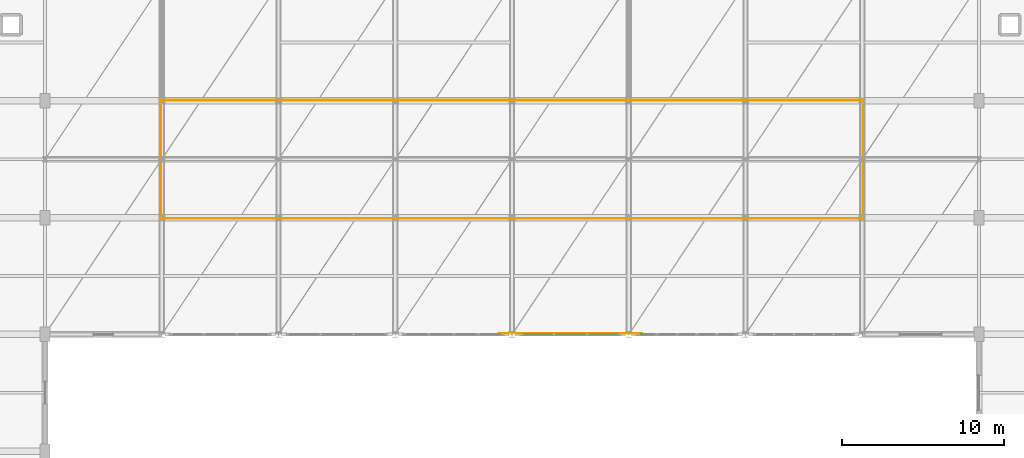
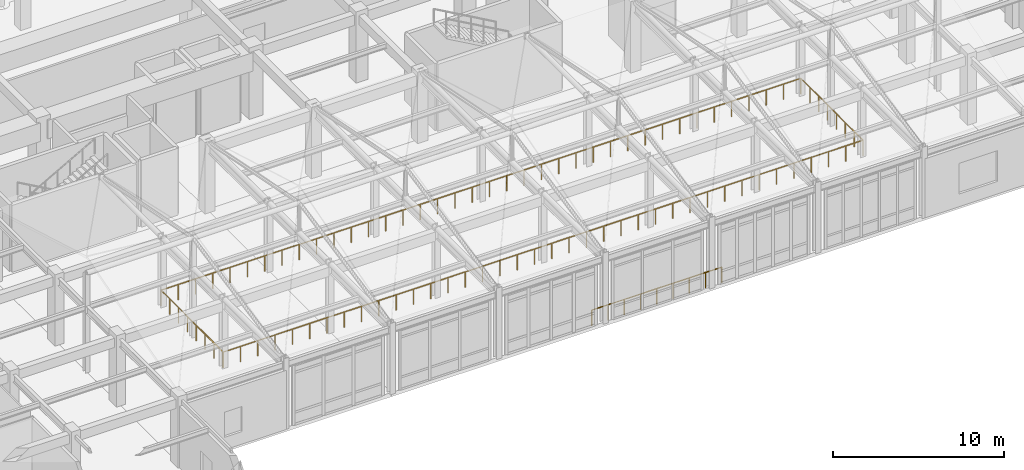
# One storey, part 110 of 117: 3 railings.
"""IFC4 building model written with IfcOpenShell, lengths in metres."""

from ifc_helpers import new_model, si_unit, direction, frame, origin, origin_2d, place, context, subcontext, project, spatial, circle, extrude, material, layer, layer_set, type_object, element, save


model = new_model("IFC4")

# Units and contexts
model_context = context("Model", 3, precision=1e-05, world=origin(), true_north=direction((0.0, 1.0)))
body_context = subcontext(model_context, "Body", "Model", "MODEL_VIEW")
ifc_project = project(units=[si_unit("LENGTHUNIT", "METRE"), si_unit("AREAUNIT", "SQUARE_METRE"), si_unit("VOLUMEUNIT", "CUBIC_METRE"), si_unit("PLANEANGLEUNIT", "RADIAN"), si_unit("MASSUNIT", "GRAM", prefix="KILO")], contexts=[model_context])

# Site, building, storey
site_placement = place(None, origin())
site = spatial("IfcSite", under=ifc_project, at=site_placement, CompositionType="ELEMENT")
building_placement = place(site_placement, origin())
building = spatial("IfcBuilding", under=site, at=building_placement, Name="Carrowvane Square Congress Hotel", CompositionType="ELEMENT")
storey_placement = place(building_placement, frame((0.0, 0.0, 5.39990234375)))
storey = spatial("IfcBuildingStorey", under=building, at=storey_placement, Name="L01", CompositionType="ELEMENT", Elevation=5.39990234375)

# Railings
ifc_material = material(Name="Double-glazed low-E glass", Category="glass")
ifc_layer = layer(ifc_material, 0.06005859375)
ifc_layer_set = layer_set([ifc_layer], Name="Double-glazed low-E glass")
railing_type = type_object("IfcRailingType", Name="RLG-BAL-GLS1120", PredefinedType="BALUSTRADE", material=ifc_layer_set)
railing_1_placement = place(storey_placement, frame((97.199951171875, 70.260009765625, 0.0)))
element("IfcRailing", 1, at=railing_1_placement, inside=storey, type_object=railing_type, Name="L01 perimeter gallery edge guard RLG-EDGE-L01-V6S", PredefinedType="BALUSTRADE", context=body_context, shape_type="SweptSolid", body=[
    extrude(circle(Radius=0.02392578125, at=origin_2d()), frame((0.0, 0.0, 1.09619140625), z_axis=(1.0, 0.0, 0.0), x_axis=(0.0, 1.0, 0.0)), (0.0, 0.0, 1.0), 8.800048828125),
    extrude(circle(Radius=0.02099609375, at=origin_2d()), origin(), (0.0, 0.0, 1.0), 1.072021484375),
    extrude(circle(Radius=0.02099609375, at=origin_2d()), frame((1.10009765625, 0.0, 0.0)), (0.0, 0.0, 1.0), 1.072021484375),
    extrude(circle(Radius=0.02099609375, at=origin_2d()), frame((2.199951171875, 0.0, 0.0)), (0.0, 0.0, 1.0), 1.072021484375),
    extrude(circle(Radius=0.02099609375, at=origin_2d()), frame((3.300048828125, 0.0, 0.0)), (0.0, 0.0, 1.0), 1.072021484375),
    extrude(circle(Radius=0.02099609375, at=origin_2d()), frame((4.39990234375, 0.0, 0.0)), (0.0, 0.0, 1.0), 1.072021484375),
    extrude(circle(Radius=0.02099609375, at=origin_2d()), frame((5.5, 0.0, 0.0)), (0.0, 0.0, 1.0), 1.072021484375),
    extrude(circle(Radius=0.02099609375, at=origin_2d()), frame((6.60009765625, 0.0, 0.0)), (0.0, 0.0, 1.0), 1.072021484375),
    extrude(circle(Radius=0.02099609375, at=origin_2d()), frame((7.699951171875, 0.0, 0.0)), (0.0, 0.0, 1.0), 1.072021484375),
    extrude(circle(Radius=0.02099609375, at=origin_2d()), frame((8.800048828125, 0.0, 0.0)), (0.0, 0.0, 1.0), 1.072021484375),
])
railing_2_placement = place(storey_placement, frame((76.35009765625, 77.375, 0.0)))
element("IfcRailing", 2, at=railing_2_placement, inside=storey, type_object=railing_type, Name="L01 atrium void guard balustrade RLG-VOID-L01-V6 A", PredefinedType="BALUSTRADE", context=body_context, shape_type="SweptSolid", body=[
    extrude(circle(Radius=0.02392578125, at=origin_2d()), frame((0.0, 0.0, 1.09619140625), z_axis=(0.0, -1.0, 0.0), x_axis=(1.0, 0.0, 0.0)), (0.0, 0.0, 1.0), 0.02490234375),
    extrude(circle(Radius=0.02392578125, at=origin_2d()), frame((0.0, -0.02490234375, 1.09619140625), z_axis=(1.0, 0.0, 0.0), x_axis=(0.0, 1.0, 0.0)), (0.0, 0.0, 1.0), 43.2998046875),
    extrude(circle(Radius=0.02392578125, at=origin_2d()), frame((43.2998046875, -0.02490234375, 1.09619140625), z_axis=(0.0, 1.0, 0.0), x_axis=(-1.0, 0.0, 0.0)), (0.0, 0.0, 1.0), 7.27490234375),
    extrude(circle(Radius=0.02099609375, at=origin_2d()), origin(), (0.0, 0.0, 1.0), 1.072021484375),
    extrude(circle(Radius=0.02099609375, at=origin_2d()), frame((0.0, -0.02490234375, 0.0)), (0.0, 0.0, 1.0), 1.072021484375),
    extrude(circle(Radius=0.02099609375, at=origin_2d()), frame((1.170166015625, -0.02490234375, 0.0)), (0.0, 0.0, 1.0), 1.072021484375),
    extrude(circle(Radius=0.02099609375, at=origin_2d()), frame((2.340576171875, -0.02490234375, 0.0)), (0.0, 0.0, 1.0), 1.072021484375),
    extrude(circle(Radius=0.02099609375, at=origin_2d()), frame((3.5107421875, -0.02490234375, 0.0)), (0.0, 0.0, 1.0), 1.072021484375),
    extrude(circle(Radius=0.02099609375, at=origin_2d()), frame((4.68115234375, -0.02490234375, 0.0)), (0.0, 0.0, 1.0), 1.072021484375),
    extrude(circle(Radius=0.02099609375, at=origin_2d()), frame((5.851318359375, -0.02490234375, 0.0)), (0.0, 0.0, 1.0), 1.072021484375),
    extrude(circle(Radius=0.02099609375, at=origin_2d()), frame((7.021484375, -0.02490234375, 0.0)), (0.0, 0.0, 1.0), 1.072021484375),
    extrude(circle(Radius=0.02099609375, at=origin_2d()), frame((8.19189453125, -0.02490234375, 0.0)), (0.0, 0.0, 1.0), 1.072021484375),
    extrude(circle(Radius=0.02099609375, at=origin_2d()), frame((9.362060546875, -0.02490234375, 0.0)), (0.0, 0.0, 1.0), 1.072021484375),
    extrude(circle(Radius=0.02099609375, at=origin_2d()), frame((10.532470703125, -0.02490234375, 0.0)), (0.0, 0.0, 1.0), 1.072021484375),
    extrude(circle(Radius=0.02099609375, at=origin_2d()), frame((11.70263671875, -0.02490234375, 0.0)), (0.0, 0.0, 1.0), 1.072021484375),
    extrude(circle(Radius=0.02099609375, at=origin_2d()), frame((12.872802734375, -0.02490234375, 0.0)), (0.0, 0.0, 1.0), 1.072021484375),
    extrude(circle(Radius=0.02099609375, at=origin_2d()), frame((14.043212890625, -0.02490234375, 0.0)), (0.0, 0.0, 1.0), 1.072021484375),
    extrude(circle(Radius=0.02099609375, at=origin_2d()), frame((15.21337890625, -0.02490234375, 0.0)), (0.0, 0.0, 1.0), 1.072021484375),
    extrude(circle(Radius=0.02099609375, at=origin_2d()), frame((16.3837890625, -0.02490234375, 0.0)), (0.0, 0.0, 1.0), 1.072021484375),
    extrude(circle(Radius=0.02099609375, at=origin_2d()), frame((17.553955078125, -0.02490234375, 0.0)), (0.0, 0.0, 1.0), 1.072021484375),
    extrude(circle(Radius=0.02099609375, at=origin_2d()), frame((18.72412109375, -0.02490234375, 0.0)), (0.0, 0.0, 1.0), 1.072021484375),
    extrude(circle(Radius=0.02099609375, at=origin_2d()), frame((19.89453125, -0.02490234375, 0.0)), (0.0, 0.0, 1.0), 1.072021484375),
    extrude(circle(Radius=0.02099609375, at=origin_2d()), frame((21.064697265625, -0.02490234375, 0.0)), (0.0, 0.0, 1.0), 1.072021484375),
    extrude(circle(Radius=0.02099609375, at=origin_2d()), frame((22.235107421875, -0.02490234375, 0.0)), (0.0, 0.0, 1.0), 1.072021484375),
    extrude(circle(Radius=0.02099609375, at=origin_2d()), frame((23.4052734375, -0.02490234375, 0.0)), (0.0, 0.0, 1.0), 1.072021484375),
    extrude(circle(Radius=0.02099609375, at=origin_2d()), frame((24.57568359375, -0.02490234375, 0.0)), (0.0, 0.0, 1.0), 1.072021484375),
    extrude(circle(Radius=0.02099609375, at=origin_2d()), frame((25.745849609375, -0.02490234375, 0.0)), (0.0, 0.0, 1.0), 1.072021484375),
    extrude(circle(Radius=0.02099609375, at=origin_2d()), frame((26.916015625, -0.02490234375, 0.0)), (0.0, 0.0, 1.0), 1.072021484375),
    extrude(circle(Radius=0.02099609375, at=origin_2d()), frame((28.08642578125, -0.02490234375, 0.0)), (0.0, 0.0, 1.0), 1.072021484375),
    extrude(circle(Radius=0.02099609375, at=origin_2d()), frame((29.256591796875, -0.02490234375, 0.0)), (0.0, 0.0, 1.0), 1.072021484375),
    extrude(circle(Radius=0.02099609375, at=origin_2d()), frame((30.427001953125, -0.02490234375, 0.0)), (0.0, 0.0, 1.0), 1.072021484375),
    extrude(circle(Radius=0.02099609375, at=origin_2d()), frame((31.59716796875, -0.02490234375, 0.0)), (0.0, 0.0, 1.0), 1.072021484375),
    extrude(circle(Radius=0.02099609375, at=origin_2d()), frame((32.767333984375, -0.02490234375, 0.0)), (0.0, 0.0, 1.0), 1.072021484375),
    extrude(circle(Radius=0.02099609375, at=origin_2d()), frame((33.937744140625, -0.02490234375, 0.0)), (0.0, 0.0, 1.0), 1.072021484375),
    extrude(circle(Radius=0.02099609375, at=origin_2d()), frame((35.10791015625, -0.02490234375, 0.0)), (0.0, 0.0, 1.0), 1.072021484375),
    extrude(circle(Radius=0.02099609375, at=origin_2d()), frame((36.2783203125, -0.02490234375, 0.0)), (0.0, 0.0, 1.0), 1.072021484375),
    extrude(circle(Radius=0.02099609375, at=origin_2d()), frame((37.448486328125, -0.02490234375, 0.0)), (0.0, 0.0, 1.0), 1.072021484375),
    extrude(circle(Radius=0.02099609375, at=origin_2d()), frame((38.61865234375, -0.02490234375, 0.0)), (0.0, 0.0, 1.0), 1.072021484375),
    extrude(circle(Radius=0.02099609375, at=origin_2d()), frame((39.7890625, -0.02490234375, 0.0)), (0.0, 0.0, 1.0), 1.072021484375),
    extrude(circle(Radius=0.02099609375, at=origin_2d()), frame((40.959228515625, -0.02490234375, 0.0)), (0.0, 0.0, 1.0), 1.072021484375),
    extrude(circle(Radius=0.02099609375, at=origin_2d()), frame((42.129638671875, -0.02490234375, 0.0)), (0.0, 0.0, 1.0), 1.072021484375),
    extrude(circle(Radius=0.02099609375, at=origin_2d()), frame((43.2998046875, -0.02490234375, 0.0)), (0.0, 0.0, 1.0), 1.072021484375),
    extrude(circle(Radius=0.02099609375, at=origin_2d()), frame((43.2998046875, 1.014404296875, 0.0)), (0.0, 0.0, 1.0), 1.072021484375),
    extrude(circle(Radius=0.02099609375, at=origin_2d()), frame((43.2998046875, 2.0537109375, 0.0)), (0.0, 0.0, 1.0), 1.072021484375),
    extrude(circle(Radius=0.02099609375, at=origin_2d()), frame((43.2998046875, 3.093017578125, 0.0)), (0.0, 0.0, 1.0), 1.072021484375),
    extrude(circle(Radius=0.02099609375, at=origin_2d()), frame((43.2998046875, 4.132080078125, 0.0)), (0.0, 0.0, 1.0), 1.072021484375),
    extrude(circle(Radius=0.02099609375, at=origin_2d()), frame((43.2998046875, 5.17138671875, 0.0)), (0.0, 0.0, 1.0), 1.072021484375),
    extrude(circle(Radius=0.02099609375, at=origin_2d()), frame((43.2998046875, 6.210693359375, 0.0)), (0.0, 0.0, 1.0), 1.072021484375),
    extrude(circle(Radius=0.02099609375, at=origin_2d()), frame((43.2998046875, 7.25, 0.0)), (0.0, 0.0, 1.0), 1.072021484375),
])
railing_3_placement = place(storey_placement, frame((119.64990234375, 84.64990234375, 0.0)))
element("IfcRailing", 3, at=railing_3_placement, inside=storey, type_object=railing_type, Name="L01 atrium void guard balustrade RLG-VOID-L01-V6 B", PredefinedType="BALUSTRADE", context=body_context, shape_type="SweptSolid", body=[
    extrude(circle(Radius=0.02392578125, at=origin_2d()), frame((0.0, 0.0, 1.09619140625), z_axis=(-1.0, 0.0, 0.0), x_axis=(0.0, -1.0, 0.0)), (0.0, 0.0, 1.0), 43.2998046875),
    extrude(circle(Radius=0.02392578125, at=origin_2d()), frame((-43.2998046875, 0.0, 1.09619140625), z_axis=(0.0, -1.0, 0.0), x_axis=(1.0, 0.0, 0.0)), (0.0, 0.0, 1.0), 7.244873046875),
    extrude(circle(Radius=0.02099609375, at=origin_2d()), origin(), (0.0, 0.0, 1.0), 1.072021484375),
    extrude(circle(Radius=0.02099609375, at=origin_2d()), frame((-1.170166015625, 0.0, 0.0)), (0.0, 0.0, 1.0), 1.072021484375),
    extrude(circle(Radius=0.02099609375, at=origin_2d()), frame((-2.340576171875, 0.0, 0.0)), (0.0, 0.0, 1.0), 1.072021484375),
    extrude(circle(Radius=0.02099609375, at=origin_2d()), frame((-3.5107421875, 0.0, 0.0)), (0.0, 0.0, 1.0), 1.072021484375),
    extrude(circle(Radius=0.02099609375, at=origin_2d()), frame((-4.68115234375, 0.0, 0.0)), (0.0, 0.0, 1.0), 1.072021484375),
    extrude(circle(Radius=0.02099609375, at=origin_2d()), frame((-5.851318359375, 0.0, 0.0)), (0.0, 0.0, 1.0), 1.072021484375),
    extrude(circle(Radius=0.02099609375, at=origin_2d()), frame((-7.021484375, 0.0, 0.0)), (0.0, 0.0, 1.0), 1.072021484375),
    extrude(circle(Radius=0.02099609375, at=origin_2d()), frame((-8.19189453125, 0.0, 0.0)), (0.0, 0.0, 1.0), 1.072021484375),
    extrude(circle(Radius=0.02099609375, at=origin_2d()), frame((-9.362060546875, 0.0, 0.0)), (0.0, 0.0, 1.0), 1.072021484375),
    extrude(circle(Radius=0.02099609375, at=origin_2d()), frame((-10.532470703125, 0.0, 0.0)), (0.0, 0.0, 1.0), 1.072021484375),
    extrude(circle(Radius=0.02099609375, at=origin_2d()), frame((-11.70263671875, 0.0, 0.0)), (0.0, 0.0, 1.0), 1.072021484375),
    extrude(circle(Radius=0.02099609375, at=origin_2d()), frame((-12.872802734375, 0.0, 0.0)), (0.0, 0.0, 1.0), 1.072021484375),
    extrude(circle(Radius=0.02099609375, at=origin_2d()), frame((-14.043212890625, 0.0, 0.0)), (0.0, 0.0, 1.0), 1.072021484375),
    extrude(circle(Radius=0.02099609375, at=origin_2d()), frame((-15.21337890625, 0.0, 0.0)), (0.0, 0.0, 1.0), 1.072021484375),
    extrude(circle(Radius=0.02099609375, at=origin_2d()), frame((-16.3837890625, 0.0, 0.0)), (0.0, 0.0, 1.0), 1.072021484375),
    extrude(circle(Radius=0.02099609375, at=origin_2d()), frame((-17.553955078125, 0.0, 0.0)), (0.0, 0.0, 1.0), 1.072021484375),
    extrude(circle(Radius=0.02099609375, at=origin_2d()), frame((-18.72412109375, 0.0, 0.0)), (0.0, 0.0, 1.0), 1.072021484375),
    extrude(circle(Radius=0.02099609375, at=origin_2d()), frame((-19.89453125, 0.0, 0.0)), (0.0, 0.0, 1.0), 1.072021484375),
    extrude(circle(Radius=0.02099609375, at=origin_2d()), frame((-21.064697265625, 0.0, 0.0)), (0.0, 0.0, 1.0), 1.072021484375),
    extrude(circle(Radius=0.02099609375, at=origin_2d()), frame((-22.235107421875, 0.0, 0.0)), (0.0, 0.0, 1.0), 1.072021484375),
    extrude(circle(Radius=0.02099609375, at=origin_2d()), frame((-23.4052734375, 0.0, 0.0)), (0.0, 0.0, 1.0), 1.072021484375),
    extrude(circle(Radius=0.02099609375, at=origin_2d()), frame((-24.57568359375, 0.0, 0.0)), (0.0, 0.0, 1.0), 1.072021484375),
    extrude(circle(Radius=0.02099609375, at=origin_2d()), frame((-25.745849609375, 0.0, 0.0)), (0.0, 0.0, 1.0), 1.072021484375),
    extrude(circle(Radius=0.02099609375, at=origin_2d()), frame((-26.916015625, 0.0, 0.0)), (0.0, 0.0, 1.0), 1.072021484375),
    extrude(circle(Radius=0.02099609375, at=origin_2d()), frame((-28.08642578125, 0.0, 0.0)), (0.0, 0.0, 1.0), 1.072021484375),
    extrude(circle(Radius=0.02099609375, at=origin_2d()), frame((-29.256591796875, 0.0, 0.0)), (0.0, 0.0, 1.0), 1.072021484375),
    extrude(circle(Radius=0.02099609375, at=origin_2d()), frame((-30.427001953125, 0.0, 0.0)), (0.0, 0.0, 1.0), 1.072021484375),
    extrude(circle(Radius=0.02099609375, at=origin_2d()), frame((-31.59716796875, 0.0, 0.0)), (0.0, 0.0, 1.0), 1.072021484375),
    extrude(circle(Radius=0.02099609375, at=origin_2d()), frame((-32.767333984375, 0.0, 0.0)), (0.0, 0.0, 1.0), 1.072021484375),
    extrude(circle(Radius=0.02099609375, at=origin_2d()), frame((-33.937744140625, 0.0, 0.0)), (0.0, 0.0, 1.0), 1.072021484375),
    extrude(circle(Radius=0.02099609375, at=origin_2d()), frame((-35.10791015625, 0.0, 0.0)), (0.0, 0.0, 1.0), 1.072021484375),
    extrude(circle(Radius=0.02099609375, at=origin_2d()), frame((-36.2783203125, 0.0, 0.0)), (0.0, 0.0, 1.0), 1.072021484375),
    extrude(circle(Radius=0.02099609375, at=origin_2d()), frame((-37.448486328125, 0.0, 0.0)), (0.0, 0.0, 1.0), 1.072021484375),
    extrude(circle(Radius=0.02099609375, at=origin_2d()), frame((-38.61865234375, 0.0, 0.0)), (0.0, 0.0, 1.0), 1.072021484375),
    extrude(circle(Radius=0.02099609375, at=origin_2d()), frame((-39.7890625, 0.0, 0.0)), (0.0, 0.0, 1.0), 1.072021484375),
    extrude(circle(Radius=0.02099609375, at=origin_2d()), frame((-40.959228515625, 0.0, 0.0)), (0.0, 0.0, 1.0), 1.072021484375),
    extrude(circle(Radius=0.02099609375, at=origin_2d()), frame((-42.129638671875, 0.0, 0.0)), (0.0, 0.0, 1.0), 1.072021484375),
    extrude(circle(Radius=0.02099609375, at=origin_2d()), frame((-43.2998046875, 0.0, 0.0)), (0.0, 0.0, 1.0), 1.072021484375),
    extrude(circle(Radius=0.02099609375, at=origin_2d()), frame((-43.2998046875, -1.034912109375, 0.0)), (0.0, 0.0, 1.0), 1.072021484375),
    extrude(circle(Radius=0.02099609375, at=origin_2d()), frame((-43.2998046875, -2.070068359375, 0.0)), (0.0, 0.0, 1.0), 1.072021484375),
    extrude(circle(Radius=0.02099609375, at=origin_2d()), frame((-43.2998046875, -3.10498046875, 0.0)), (0.0, 0.0, 1.0), 1.072021484375),
    extrude(circle(Radius=0.02099609375, at=origin_2d()), frame((-43.2998046875, -4.139892578125, 0.0)), (0.0, 0.0, 1.0), 1.072021484375),
    extrude(circle(Radius=0.02099609375, at=origin_2d()), frame((-43.2998046875, -5.1748046875, 0.0)), (0.0, 0.0, 1.0), 1.072021484375),
    extrude(circle(Radius=0.02099609375, at=origin_2d()), frame((-43.2998046875, -6.2099609375, 0.0)), (0.0, 0.0, 1.0), 1.072021484375),
    extrude(circle(Radius=0.02099609375, at=origin_2d()), frame((-43.2998046875, -7.244873046875, 0.0)), (0.0, 0.0, 1.0), 1.072021484375),
])

save(model, "model.ifc")
